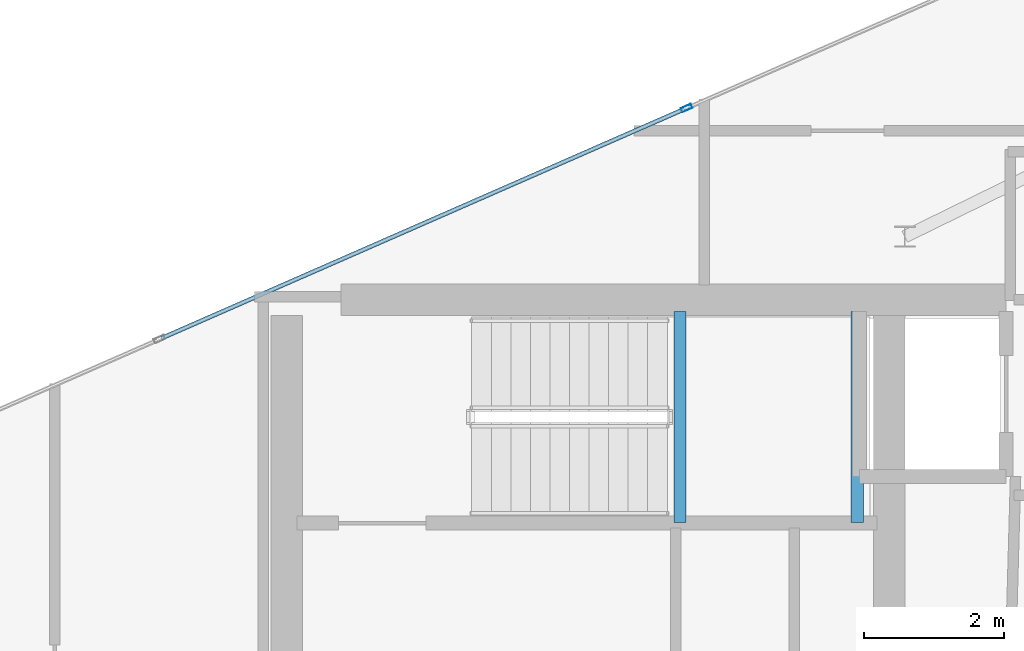
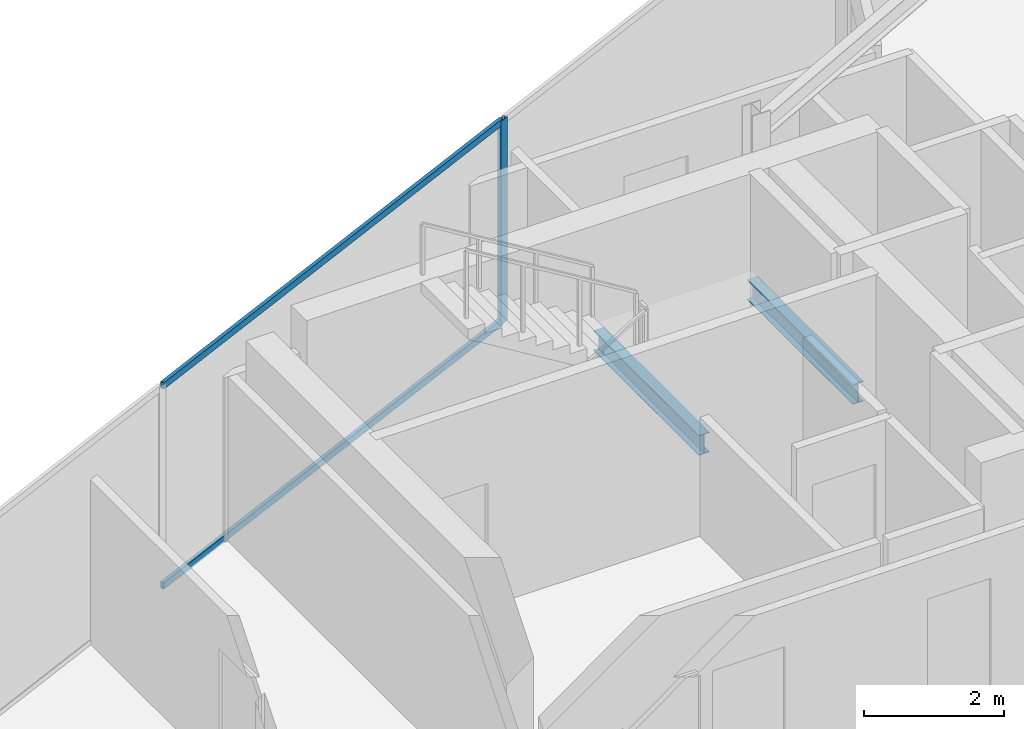
# One storey, part 8 of 16: 3 members, 2 beams, 1 element without a shape of its own.
"""IFC4 building model written with IfcOpenShell, lengths in metres."""

from ifc_helpers import new_model, si_unit, direction, frame, origin, origin_2d, place, context, subcontext, project, spatial, hollow_rectangle, i_section, extrude, material, layer, layer_set, material_profile, profile_set, type_object, element, aggregate, save


model = new_model("IFC4")

# Units and contexts
model_context = context("Model", 3, precision=1e-05, world=origin(), true_north=direction((0.0, 1.0)))
body_context = subcontext(model_context, "Body", "Model", "MODEL_VIEW")
ifc_project = project(units=[si_unit("LENGTHUNIT", "METRE"), si_unit("AREAUNIT", "SQUARE_METRE"), si_unit("VOLUMEUNIT", "CUBIC_METRE"), si_unit("PLANEANGLEUNIT", "RADIAN"), si_unit("MASSUNIT", "GRAM", prefix="KILO")], contexts=[model_context])

# Site, building, storey
site_placement = place(None, origin())
site = spatial("IfcSite", under=ifc_project, at=site_placement, CompositionType="ELEMENT")
building_placement = place(site_placement, origin())
building = spatial("IfcBuilding", under=site, at=building_placement, Name="Qianvela Tower", CompositionType="ELEMENT")
storey_placement = place(building_placement, frame((0.0, 0.0, 367.550048828125)))
storey = spatial("IfcBuildingStorey", under=building, at=storey_placement, Name="L95", CompositionType="ELEMENT", Elevation=367.550048828125)

# Beams
ifc_material_1 = material(Name="Steel Q355B", Category="steel")
ifc_material_profile_1 = material_profile(ifc_material_1, i_section(OverallWidth=0.175048828125, OverallDepth=0.35009765625, WebThickness=0.007080078125, FlangeThickness=0.010986328125, at=origin_2d()), Name="HN350x175x7x11")
ifc_profile_set_1 = profile_set([ifc_material_profile_1], Name="Steel Q355B")
beam_type = type_object("IfcBeamType", Name="BM-HN350-JOIST", PredefinedType="JOIST", material=ifc_profile_set_1)
for number, where, z_axis, x_axis, name in (
    (1, (35.179931640625, 29.4599609375, 1.5), (0.0, 1.0, 0.0), (-1.0, 0.0, 0.0), "L95 Stair ST-1 Landing Support Beam 1.1"),
    (2, (37.719970703125, 29.4599609375, 1.5), (0.0, 1.0, 0.0), (-1.0, 0.0, 0.0), "L95 Stair ST-1 Landing Support Beam 1.2"),
):
    element("IfcBeam", number, at=place(storey_placement, frame(where, z_axis=z_axis, x_axis=x_axis)), inside=storey, type_object=beam_type, Name=name, PredefinedType="JOIST", context=body_context, shape_type="SweptSolid", body=[
        extrude(i_section(OverallWidth=0.175048828125, OverallDepth=0.35009765625, WebThickness=0.007080078125, FlangeThickness=0.010986328125, at=origin_2d()), origin(), (0.0, 0.0, 1.0), 3.02001953125),
    ])

# Curtain wall, members
ifc_material_2 = material(Name="Anodised Architectural Aluminium and Low-E Glass", Category="aluminium")
ifc_layer = layer(ifc_material_2, 0.159912109375)
ifc_layer_set = layer_set([ifc_layer], Name="Anodised Architectural Aluminium and Low-E Glass")
curtain_wall_type = type_object("IfcCurtainWallType", Name="CW-CROWN", PredefinedType="USERDEFINED", material=ifc_layer_set)
curtain_wall_placement = place(storey_placement, origin())
curtain_wall = element("IfcCurtainWall", 3, at=curtain_wall_placement, inside=storey, type_object=curtain_wall_type, Name="L95 CW-CROWN Curtain Wall 02", ObjectType="CURTAIN_WALL_SYSTEM", PredefinedType="USERDEFINED")
ifc_material_3 = material(Name="Anodised Architectural Aluminium 6063-T6", Category="aluminium")
ifc_material_profile_2 = material_profile(ifc_material_3, hollow_rectangle(XDim=0.06494140625, YDim=0.159912109375, WallThickness=0.0048828125, at=origin_2d()), Name="ALU-MULL-65x160")
ifc_profile_set_2 = profile_set([ifc_material_profile_2], Name="Anodised Architectural Aluminium 6063-T6")
member_type_1 = type_object("IfcMemberType", Name="CW-CROWN-MULL", PredefinedType="MULLION", material=ifc_profile_set_2)
member_1_placement = place(storey_placement, frame((35.2763671875, 35.391845703125, 0.0), z_axis=(0.0, 0.0, 1.0), x_axis=(0.401389946055, -0.915907261247, 0.0)))
member_1 = element("IfcMember", 4, at=member_1_placement, type_object=member_type_1, Name="CW-8 mullion 3", PredefinedType="MULLION", context=body_context, shape_type="SweptSolid", body=[
    extrude(hollow_rectangle(XDim=0.06494140625, YDim=0.159912109375, WallThickness=0.0048828125, at=origin_2d()), origin(), (0.0, 0.0, 1.0), 3.550048828125),
])
ifc_material_4 = material(Name="Anodised Architectural Aluminium 6063-T6", Category="aluminium")
ifc_material_profile_3 = material_profile(ifc_material_4, hollow_rectangle(XDim=0.06005859375, YDim=0.114990234375, WallThickness=0.00390625, at=origin_2d()), Name="ALU-TRAN-60x115")
ifc_profile_set_3 = profile_set([ifc_material_profile_3], Name="Anodised Architectural Aluminium 6063-T6")
member_type_2 = type_object("IfcMemberType", Name="CW-CROWN-TRAN", PredefinedType="USERDEFINED", material=ifc_profile_set_3)
member_2_placement = place(storey_placement, frame((35.24658203125, 35.378662109375, 0.030029296875), z_axis=(-0.915911115304, -0.401381151603, 0.0), x_axis=(0.401381151603, -0.915911115304, 0.0)))
member_2 = element("IfcMember", 5, at=member_2_placement, type_object=member_type_2, Name="CW-8 transom 3.1", ObjectType="TRANSOM", PredefinedType="USERDEFINED", context=body_context, shape_type="SweptSolid", body=[
    extrude(hollow_rectangle(XDim=0.06005859375, YDim=0.114990234375, WallThickness=0.00390625, at=origin_2d()), origin(), (0.0, 0.0, 1.0), 8.175537109375),
])
member_3_placement = place(storey_placement, frame((35.24658203125, 35.378662109375, 3.52001953125), z_axis=(-0.915911115304, -0.401381151603, 0.0), x_axis=(0.401381151603, -0.915911115304, 0.0)))
member_3 = element("IfcMember", 6, at=member_3_placement, type_object=member_type_2, Name="CW-8 transom 3.2", ObjectType="TRANSOM", PredefinedType="USERDEFINED", context=body_context, shape_type="SweptSolid", body=[
    extrude(hollow_rectangle(XDim=0.06005859375, YDim=0.114990234375, WallThickness=0.00390625, at=origin_2d()), origin(), (0.0, 0.0, 1.0), 8.175537109375),
])
aggregate(curtain_wall, [member_1, member_2, member_3])

save(model, "model.ifc")
